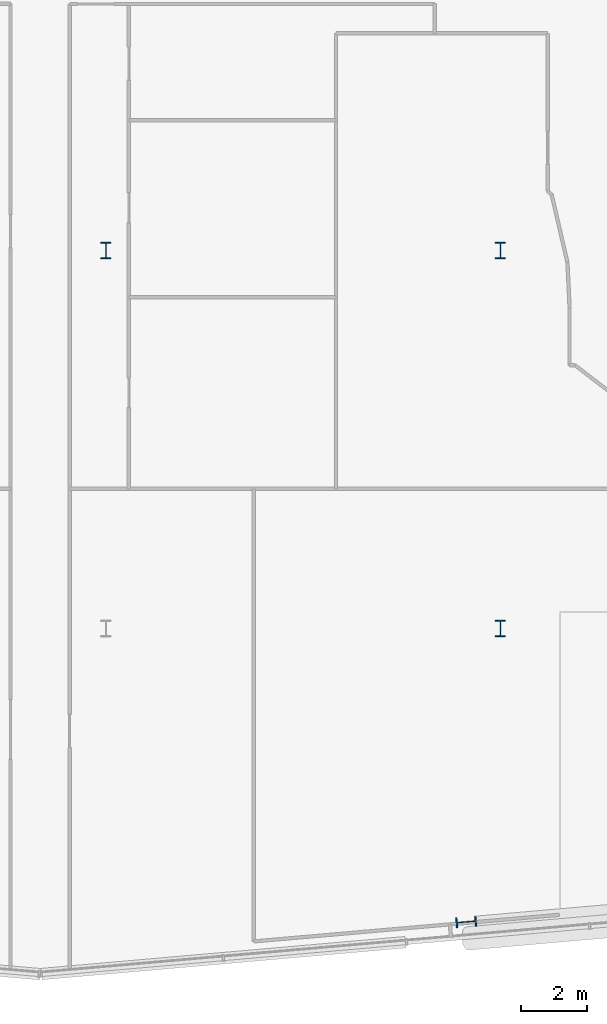
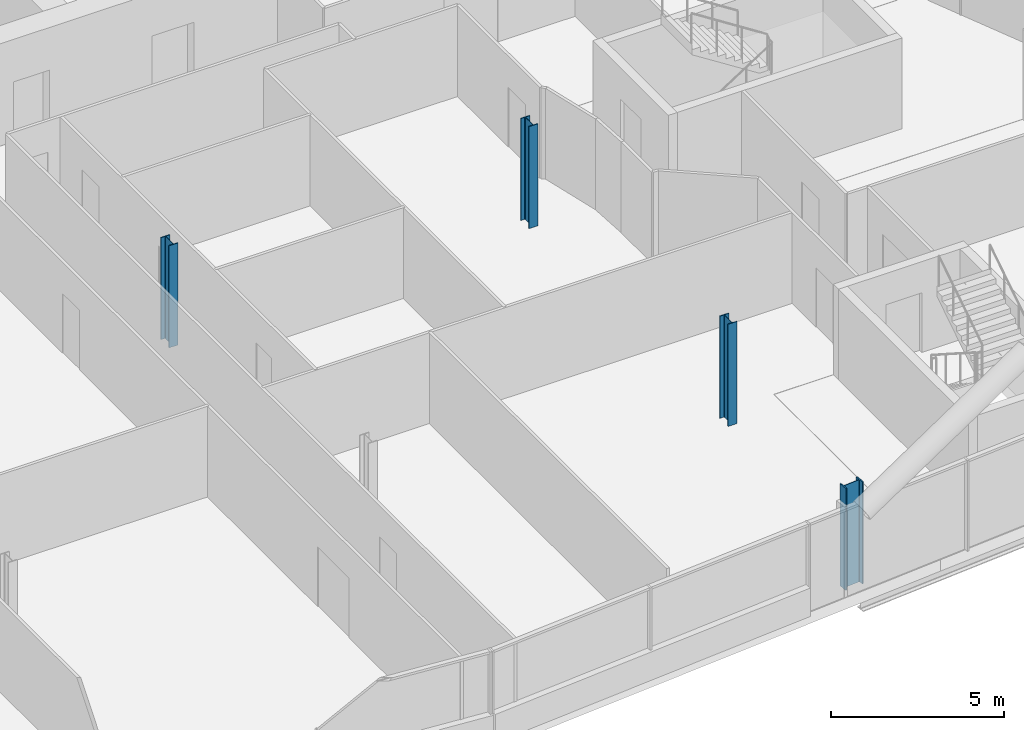
# One storey, part 2 of 26: 4 columns.
"""IFC4 building model written with IfcOpenShell, lengths in metres."""

import ifcopenshell
import ifcopenshell.guid

model = None  # the IFC model being written
_history = None  # IfcOwnerHistory: only IFC2X3 demands one
_inside = {}  # id of a spatial element -> (the spatial element, [elements in it])
_under = {}  # id of a project, library or spatial element -> (it, [spatial elements below it])
_declared = {}  # id of a project -> (the project, [libraries it declares])
_typed = {}  # id of a type object -> (the type object, [elements of that type])
_made_of = {}  # id of a material, layer set ... -> (it, [elements and type objects made of it])


def new_model(schema):
    """Start an empty IFC model of exactly this schema.

    Asked for "IFC4X3", IfcOpenShell would pick the latest addendum, in which some entities
    have other attributes; the version numbers below select the first issue.
    IFC2X3 requires an IfcOwnerHistory on every rooted entity: one is made here for all.
    """
    global model, _history
    if schema == "IFC4X3":
        model = ifcopenshell.file(schema_version=(4, 3, 0, 0))
    else:
        model = ifcopenshell.file(schema=schema)
    _inside.clear()
    _under.clear()
    _declared.clear()
    _typed.clear()
    _made_of.clear()
    _history = None
    if model.schema == "IFC2X3":
        org = make("IfcOrganization", Name="unknown")
        user = make(
            "IfcPersonAndOrganization",
            ThePerson=make("IfcPerson", FamilyName="unknown"),
            TheOrganization=org,
        )
        app = make(
            "IfcApplication",
            ApplicationDeveloper=org,
            Version="unknown",
            ApplicationFullName="unknown",
            ApplicationIdentifier="unknown",
        )
        _history = make(
            "IfcOwnerHistory",
            OwningUser=user,
            OwningApplication=app,
            ChangeAction="ADDED",
            CreationDate=0,
        )
    return model


def make(cls, **values):
    """One entity of the class cls with the attributes given. An attribute that is None is left unset."""
    return model.create_entity(
        cls, **{name: value for name, value in values.items() if value is not None}
    )


def rooted(cls, **values):
    """An entity with a GlobalId (a new one), such as an element, a storey or a relation."""
    return make(cls, GlobalId=ifcopenshell.guid.new(), OwnerHistory=_history, **values)


def si_unit(unit_type, name, prefix=None):
    """IfcSIUnit, for example si_unit("LENGTHUNIT", "METRE", prefix="MILLI")."""
    return make("IfcSIUnit", UnitType=unit_type, Prefix=prefix, Name=name)


def assignment(units):
    """IfcUnitAssignment: the units of a project."""
    return None if units is None else make("IfcUnitAssignment", Units=units)


def point(xyz):
    """IfcCartesianPoint."""
    return None if xyz is None else make("IfcCartesianPoint", Coordinates=xyz)


def direction(xyz):
    """IfcDirection."""
    return None if xyz is None else make("IfcDirection", DirectionRatios=xyz)


def frame(location, z_axis=None, x_axis=None):
    """IfcAxis2Placement3D, a coordinate frame: its origin and axes. An axis left out is left unset."""
    return make(
        "IfcAxis2Placement3D",
        Location=point(location),
        Axis=direction(z_axis),
        RefDirection=direction(x_axis),
    )


def frame_2d(location, x_axis=None):
    """IfcAxis2Placement2D, a coordinate frame in the plane: its origin and x axis."""
    return make(
        "IfcAxis2Placement2D", Location=point(location), RefDirection=direction(x_axis)
    )


def origin():
    """The frame at (0, 0, 0) with its axes left unset."""
    return frame((0.0, 0.0, 0.0))


def origin_2d():
    """The frame at (0, 0) in the plane with its x axis left unset."""
    return frame_2d((0.0, 0.0))


def place(relative_to, where):
    """IfcLocalPlacement: puts the frame where relative to a parent placement (None: the world)."""
    return make(
        "IfcLocalPlacement", PlacementRelTo=relative_to, RelativePlacement=where
    )


def context(
    kind, dimensions, precision=None, world=None, true_north=None, identifier=None
):
    """IfcGeometricRepresentationContext, for example the 3D "Model" context."""
    return make(
        "IfcGeometricRepresentationContext",
        ContextIdentifier=identifier,
        ContextType=kind,
        CoordinateSpaceDimension=dimensions,
        Precision=precision,
        WorldCoordinateSystem=world,
        TrueNorth=true_north,
    )


def subcontext(parent, identifier, kind, view, scale=None):
    """IfcGeometricRepresentationSubContext, for example "Body" below "Model"."""
    return make(
        "IfcGeometricRepresentationSubContext",
        ContextIdentifier=identifier,
        ContextType=kind,
        ParentContext=parent,
        TargetScale=scale,
        TargetView=view,
    )


def project(units=None, contexts=None):
    """IfcProject with its units and contexts."""
    return rooted(
        "IfcProject",
        Name="project",
        RepresentationContexts=contexts,
        UnitsInContext=assignment(units),
    )


def spatial(cls, under=None, at=None, **own):
    """A site, building, storey or space (cls), placed at a placement, below another one or the project."""
    s = rooted(cls, ObjectPlacement=at, **own)
    if under is not None:
        _under.setdefault(under.id(), (under, []))[1].append(s)
    return s


def profile(cls, at=None, kind="AREA", **sizes):
    """A parametric profile (cls). Its sizes go by their IFC names, for example OverallWidth=200.0."""
    return make(cls, ProfileType=kind, Position=at, **sizes)


def i_section(**sizes):
    """IfcIShapeProfileDef."""
    return profile("IfcIShapeProfileDef", **sizes)


def extrude(swept, where, along, depth):
    """IfcExtrudedAreaSolid: the profile swept, set in the frame where, extruded along a direction by depth."""
    return make(
        "IfcExtrudedAreaSolid",
        SweptArea=swept,
        Position=where,
        ExtrudedDirection=direction(along),
        Depth=depth,
    )


def shape(context_of_items, identifier, shape_type, items):
    """IfcShapeRepresentation: the items that make up one representation, for example the "Body"."""
    return make(
        "IfcShapeRepresentation",
        ContextOfItems=context_of_items,
        RepresentationIdentifier=identifier,
        RepresentationType=shape_type,
        Items=items,
    )


def material(Name=None, Category=None):
    """IfcMaterial."""
    return make("IfcMaterial", Name=Name, Category=Category)


def material_profile(
    of_material, cross_section, Name=None, Category=None, Priority=None
):
    """IfcMaterialProfile: a cross section and its material."""
    return make(
        "IfcMaterialProfile",
        Name=Name,
        Material=of_material,
        Profile=cross_section,
        Priority=Priority,
        Category=Category,
    )


def profile_set(profiles, Name=None, composite=None):
    """IfcMaterialProfileSet."""
    return make(
        "IfcMaterialProfileSet",
        Name=Name,
        MaterialProfiles=profiles,
        CompositeProfile=composite,
    )


def made_of(thing, what):
    """Note that an element or type object is made of a material, layer set ...; save() writes the relation."""
    if what is not None:
        _made_of.setdefault(what.id(), (what, []))[1].append(thing)
    return thing


def type_object(cls, material=None, **own):
    """A type object (cls), such as IfcWallType, which elements share."""
    return made_of(rooted(cls, **own), material)


def element(
    cls,
    number,
    at=None,
    inside=None,
    cuts=None,
    type_object=None,
    material=None,
    context=None,
    identifier="Body",
    shape_type=None,
    held_by="IfcProductDefinitionShape",
    body=None,
    shapes=None,
    **own,
):
    """One element of the class cls, such as IfcWall. Its Tag is "e" and its number.

    at: its placement. inside: the storey or other place that contains it. cuts: it is an
    opening in that element (IfcRelVoidsElement). A single representation is given by context,
    identifier, shape_type and body (its items); several are given by shapes. held_by: the class
    of the entity that holds the representations. save() writes the other relations.
    """
    e = rooted(cls, Tag="e%d" % number, ObjectPlacement=at, **own)
    if body is not None:
        shapes = [shape(context, identifier, shape_type, body)]
    if shapes is not None:
        e.Representation = make(held_by, Representations=shapes)
    if inside is not None:
        _inside.setdefault(inside.id(), (inside, []))[1].append(e)
    if cuts is not None:
        rooted(
            "IfcRelVoidsElement", RelatingBuildingElement=cuts, RelatedOpeningElement=e
        )
    if type_object is not None:
        _typed.setdefault(type_object.id(), (type_object, []))[1].append(e)
    return made_of(e, material)


def aggregate(whole, parts):
    """IfcRelAggregates: a whole, such as a stair, and the parts it consists of."""
    return rooted("IfcRelAggregates", RelatingObject=whole, RelatedObjects=parts)


def save(model, path):
    """Write the relations noted so far, then the file.

    IfcRelAggregates (storeys below a building ...), IfcRelContainedInSpatialStructure (elements
    in a storey), IfcRelDefinesByType, IfcRelAssociatesMaterial and IfcRelDeclares: one each for
    every whole, place, type object, material and project.
    """
    for whole, parts in _under.values():
        aggregate(whole, parts)
    for where, things in _inside.values():
        rooted(
            "IfcRelContainedInSpatialStructure",
            RelatedElements=things,
            RelatingStructure=where,
        )
    for kind, things in _typed.values():
        rooted("IfcRelDefinesByType", RelatedObjects=things, RelatingType=kind)
    for what, things in _made_of.values():
        rooted("IfcRelAssociatesMaterial", RelatedObjects=things, RelatingMaterial=what)
    for by, libraries in _declared.values():
        rooted("IfcRelDeclares", RelatingContext=by, RelatedDefinitions=libraries)
    model.write(path)


model = new_model("IFC4")

# Units and contexts
model_context = context("Model", 3, precision=1e-05, world=origin(), true_north=direction((0.0, 1.0)))
body_context = subcontext(model_context, "Body", "Model", "MODEL_VIEW")
ifc_project = project(units=[si_unit("LENGTHUNIT", "METRE"), si_unit("AREAUNIT", "SQUARE_METRE"), si_unit("VOLUMEUNIT", "CUBIC_METRE"), si_unit("PLANEANGLEUNIT", "RADIAN"), si_unit("MASSUNIT", "GRAM", prefix="KILO")], contexts=[model_context])

# Site, building, storey
site_placement = place(None, origin())
site = spatial("IfcSite", under=ifc_project, at=site_placement, CompositionType="ELEMENT")
building_placement = place(site_placement, origin())
building = spatial("IfcBuilding", under=site, at=building_placement, Name="Wharfspan Tower", CompositionType="ELEMENT")
storey_placement = place(building_placement, frame((0.0, 0.0, 169.899902)))
storey = spatial("IfcBuildingStorey", under=building, at=storey_placement, Name="L41", CompositionType="ELEMENT", Elevation=169.899902)

# Columns
ifc_material = material(Name="Steel S355J2", Category="steel")
ifc_material_profile_1 = material_profile(ifc_material, i_section(OverallWidth=0.300049, OverallDepth=0.5, WebThickness=0.014404, FlangeThickness=0.028076, FilletRadius=0.0271, at=origin_2d()))
ifc_profile_set_1 = profile_set([ifc_material_profile_1], Name="Steel S355J2")
column_type_1 = type_object("IfcColumnType", Name="Column HEB 500", PredefinedType="COLUMN", material=ifc_profile_set_1)
for number, where, z_axis, x_axis, name in (
    (1, (60.0, 11.5, 0.0), (0.0, 0.0, 1.0), (1.0, 0.0, 0.0), "Interior column I.1.4 L41"),
    (2, (48.0, 23.0, 0.0), (0.0, 0.0, 1.0), (1.0, 0.0, 0.0), "Interior column I.2.3 L41"),
    (3, (60.0, 23.0, 0.0), (0.0, 0.0, 1.0), (1.0, 0.0, 0.0), "Interior column I.2.4 L41"),
):
    element("IfcColumn", number, at=place(storey_placement, frame(where, z_axis=z_axis, x_axis=x_axis)), inside=storey, type_object=column_type_1, Name=name, PredefinedType="COLUMN", context=body_context, shape_type="SweptSolid", body=[
        extrude(i_section(OverallWidth=0.300049, OverallDepth=0.5, WebThickness=0.014404, FlangeThickness=0.028076, FilletRadius=0.0271, at=origin_2d()), origin(), (0.0, 0.0, 1.0), 3.600098),
    ])
ifc_material_profile_2 = material_profile(ifc_material, i_section(OverallWidth=0.304932, OverallDepth=0.620117, WebThickness=0.020996, FlangeThickness=0.040039, FilletRadius=0.0271, at=origin_2d()))
ifc_profile_set_2 = profile_set([ifc_material_profile_2], Name="Steel S355J2")
column_type_2 = type_object("IfcColumnType", Name="Column HEM 600", PredefinedType="COLUMN", material=ifc_profile_set_2)
column_placement = place(storey_placement, frame((58.960693, 2.573486, 0.0), z_axis=(0.0, 0.0, 1.0), x_axis=(0.087156, -0.996198, 0.0)))
element("IfcColumn", 4, at=column_placement, inside=storey, type_object=column_type_2, Name="Perimeter column PS2.1 L41", PredefinedType="COLUMN", context=body_context, shape_type="SweptSolid", body=[
    extrude(i_section(OverallWidth=0.304932, OverallDepth=0.620117, WebThickness=0.020996, FlangeThickness=0.040039, FilletRadius=0.0271, at=origin_2d()), origin(), (0.0, 0.0, 1.0), 3.600098),
])

save(model, "model.ifc")
